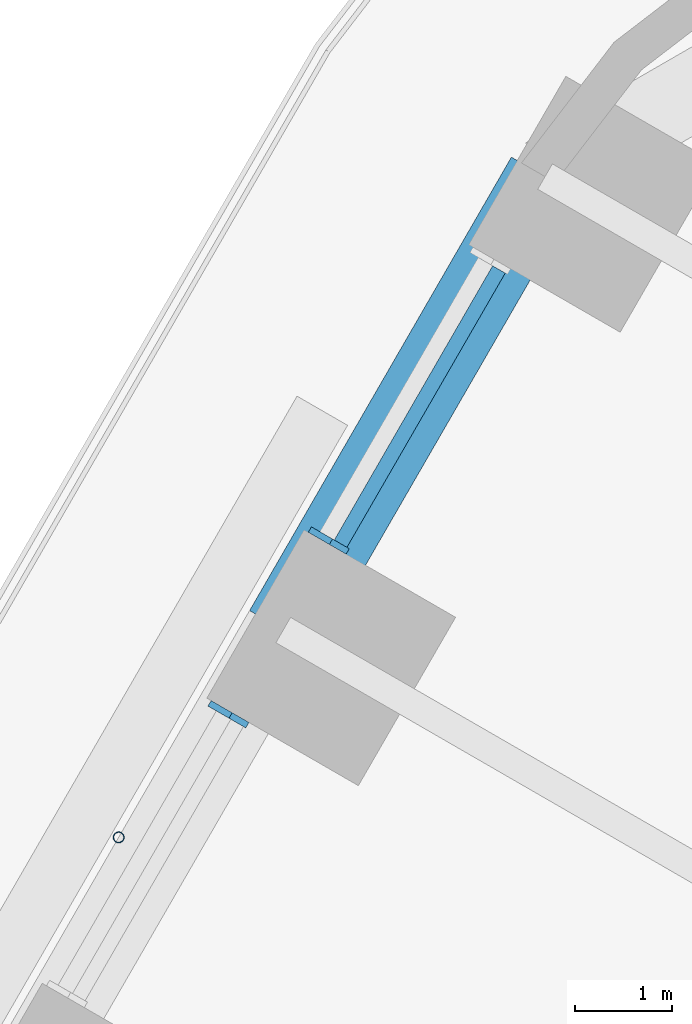
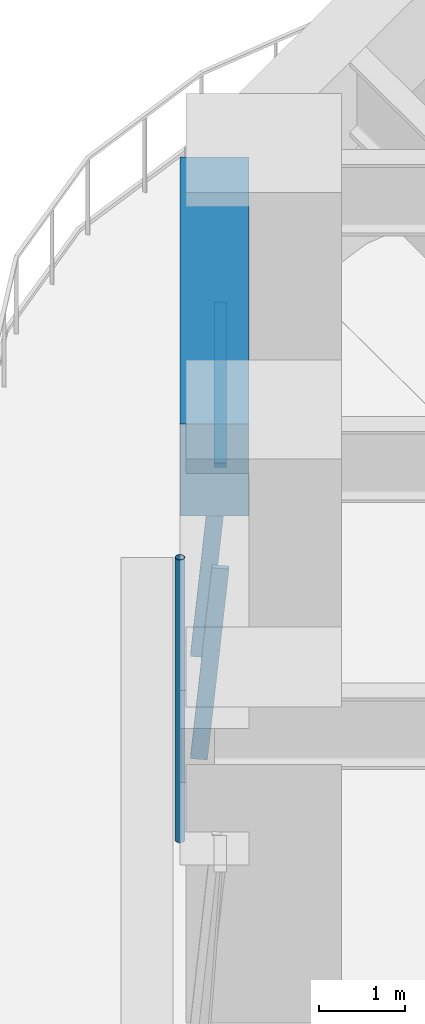
# One storey, part 9 of 23: 4 members, 1 beam, 2 elements without a shape of their own.
"""IFC4 building model written with IfcOpenShell, lengths in metres."""

from ifc_helpers import new_model, si_unit, direction, frame, origin, origin_2d, place, context, subcontext, project, spatial, rectangle, hollow_circle, extrude, material, material_profile, profile_set, type_object, element, aggregate, save


model = new_model("IFC4")

# Units and contexts
model_context = context("Model", 3, precision=1e-05, world=origin(), true_north=direction((0.0, 1.0)))
body_context = subcontext(model_context, "Body", "Model", "MODEL_VIEW")
ifc_project = project(units=[si_unit("LENGTHUNIT", "METRE"), si_unit("AREAUNIT", "SQUARE_METRE"), si_unit("VOLUMEUNIT", "CUBIC_METRE"), si_unit("PLANEANGLEUNIT", "RADIAN"), si_unit("MASSUNIT", "GRAM", prefix="KILO")], contexts=[model_context])

# Site, building, storey
site_placement = place(None, origin())
site = spatial("IfcSite", under=ifc_project, at=site_placement, CompositionType="ELEMENT")
building_placement = place(site_placement, origin())
building = spatial("IfcBuilding", under=site, at=building_placement, Name="Tarfa Lantern Tower", CompositionType="ELEMENT")
storey_placement = place(building_placement, frame((0.0, 0.0, 57.10009765625)))
storey = spatial("IfcBuildingStorey", under=building, at=storey_placement, Name="L12", CompositionType="ELEMENT", Elevation=57.10009765625)

# Curtain wall, member
ifc_material_1 = material(Name="Aluminium framed curtain wall", Category="aluminium")
curtain_wall_type = type_object("IfcCurtainWallType", Name="CW1 CANTED GLAZING LOW ZONE 2700", PredefinedType="USERDEFINED", material=ifc_material_1)
curtain_wall_1_placement = place(storey_placement, origin())
curtain_wall_1 = element("IfcCurtainWall", 1, at=curtain_wall_1_placement, inside=storey, type_object=curtain_wall_type, Name="CW1 NW L12", ObjectType="CURTAIN WALL", PredefinedType="USERDEFINED")
ifc_material_2 = material(Name="Aluminium mullion", Category="aluminium")
ifc_material_profile_1 = material_profile(ifc_material_2, rectangle(XDim=0.06494140625, YDim=0.199951171875, at=origin_2d()), Name="AL MULLION 65x200")
ifc_profile_set_1 = profile_set([ifc_material_profile_1], Name="Aluminium mullion")
member_type_1 = type_object("IfcMemberType", Name="CWM1 MULLION 65x200", PredefinedType="MULLION", material=ifc_profile_set_1)
member_1_placement = place(storey_placement, frame((-23.453369140625, 27.177490234375, 0.0), z_axis=(0.07986442134, -0.046099868913, 0.99573916077), x_axis=(0.499919672301, 0.866071776036, 0.0)))
member_1 = element("IfcMember", 2, at=member_1_placement, type_object=member_type_1, Name="CW1 mullion 2", PredefinedType="MULLION", context=body_context, shape_type="SweptSolid", body=[
    extrude(rectangle(XDim=0.06494140625, YDim=0.199951171875, at=origin_2d()), origin(), (0.0, 0.0, 1.0), 2.71142578125),
])

curtain_wall_2_placement = place(storey_placement, origin())
curtain_wall_2 = element("IfcCurtainWall", 3, at=curtain_wall_2_placement, inside=storey, type_object=curtain_wall_type, Name="CW1 NW L12", ObjectType="CURTAIN WALL", PredefinedType="USERDEFINED")
member_2_placement = place(storey_placement, frame((-24.48583984375, 25.38916015625, 0.0), z_axis=(0.07986442134, -0.046099868913, 0.99573916077), x_axis=(0.499919672301, 0.866071776036, 0.0)))
member_2 = element("IfcMember", 4, at=member_2_placement, type_object=member_type_1, Name="CW1 mullion 1", PredefinedType="MULLION", context=body_context, shape_type="SweptSolid", body=[
    extrude(rectangle(XDim=0.06494140625, YDim=0.199951171875, at=origin_2d()), origin(), (0.0, 0.0, 1.0), 2.71142578125),
])
aggregate(curtain_wall_2, [member_2])

# Member
ifc_material_3 = material(Name="Aluminium transom", Category="aluminium")
ifc_material_profile_2 = material_profile(ifc_material_3, rectangle(XDim=0.14990234375, YDim=0.06494140625, at=origin_2d()), Name="AL TRANSOM 150x65")
ifc_profile_set_2 = profile_set([ifc_material_profile_2], Name="Aluminium transom")
member_type_2 = type_object("IfcMemberType", Name="CWT1 TRANSOM 150x65", PredefinedType="USERDEFINED", material=ifc_profile_set_2)
member_3_placement = place(storey_placement, frame((-21.593994140625, 29.904296875, 2.66748046875), z_axis=(-0.499966746847, -0.86604460165, 0.0), x_axis=(0.86604460165, -0.499966746847, 0.0)))
member_3 = element("IfcMember", 5, at=member_3_placement, type_object=member_type_2, Name="CW1 transom 1.2", ObjectType="TRANSOM", PredefinedType="USERDEFINED", context=body_context, shape_type="SweptSolid", body=[
    extrude(rectangle(XDim=0.14990234375, YDim=0.06494140625, at=origin_2d()), origin(), (0.0, 0.0, 1.0), 3.258544921875),
])

aggregate(curtain_wall_1, [member_1, member_3])

# Beam
ifc_material_4 = material(Name="Concrete C80/95", Category="concrete")
ifc_material_profile_3 = material_profile(ifc_material_4, rectangle(XDim=0.800048828125, YDim=1.300048828125, at=origin_2d()), Name="RC 800x1300")
ifc_profile_set_3 = profile_set([ifc_material_profile_3], Name="Concrete C80/95")
beam_type = type_object("IfcBeamType", Name="EB1 RC 800x1300", PredefinedType="SPANDREL", material=ifc_profile_set_3)
beam_placement = place(storey_placement, frame((-21.119384765625, 30.860107421875, 3.349853515625), z_axis=(-0.499998287579, -0.866026392449, 0.0), x_axis=(0.866026392449, -0.499998287579, 0.0)))
element("IfcBeam", 6, at=beam_placement, inside=storey, type_object=beam_type, Name="Edge beam NW0", PredefinedType="SPANDREL", context=body_context, shape_type="SweptSolid", body=[
    extrude(rectangle(XDim=0.800048828125, YDim=1.300048828125, at=origin_2d()), origin(), (0.0, 0.0, 1.0), 5.388671875),
])

# Member
ifc_material_5 = material(Name="Steel S355", Category="steel")
ifc_material_profile_4 = material_profile(ifc_material_5, hollow_circle(Radius=0.05712890625, WallThickness=0.00634765625, at=origin_2d()), Name="CHS114.3x6.3")
ifc_profile_set_4 = profile_set([ifc_material_profile_4], Name="Steel S355")
member_type_3 = type_object("IfcMemberType", Name="TR1 GREEN WALL TRELLIS CHS114.3x6.3", PredefinedType="USERDEFINED", material=ifc_profile_set_4)
member_4_placement = place(storey_placement, frame((-25.50732421875, 24.06005859375, 0.0), z_axis=(0.0, 0.0, 1.0), x_axis=(1.0, 0.0, 0.0)))
element("IfcMember", 7, at=member_4_placement, inside=storey, type_object=member_type_3, Name="Trellis post NW 1", ObjectType="TRELLIS", PredefinedType="USERDEFINED", context=body_context, shape_type="SweptSolid", body=[
    extrude(hollow_circle(Radius=0.05712890625, WallThickness=0.00634765625, at=origin_2d()), origin(), (0.0, 0.0, 1.0), 4.0),
])

save(model, "model.ifc")
